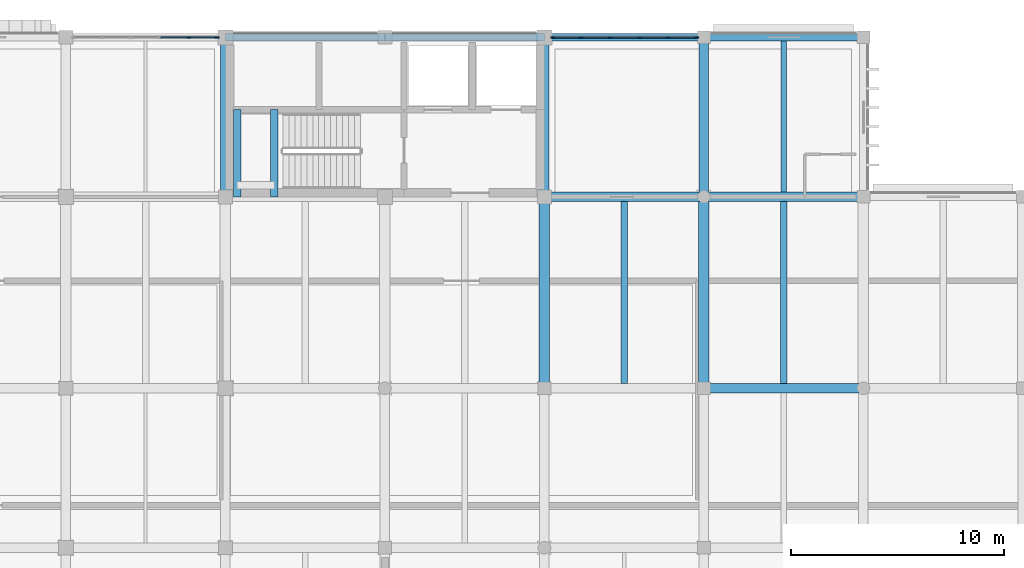
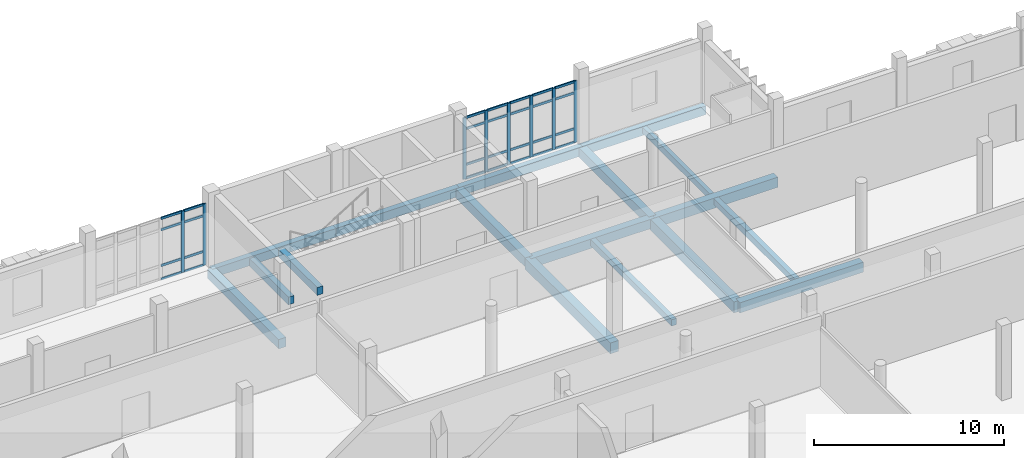
# One storey, part 62 of 131: 36 members, 17 beams, 2 elements without a shape of their own.
"""IFC4 building model written with IfcOpenShell, lengths in metres."""

from ifc_helpers import new_model, si_unit, direction, frame, origin, origin_2d, place, context, subcontext, project, spatial, rectangle, extrude, material, layer, layer_set, material_profile, profile_set, type_object, element, aggregate, save


model = new_model("IFC4")

# Units and contexts
model_context = context("Model", 3, precision=1e-05, world=origin(), true_north=direction((0.0, 1.0)))
body_context = subcontext(model_context, "Body", "Model", "MODEL_VIEW")
ifc_project = project(units=[si_unit("LENGTHUNIT", "METRE"), si_unit("AREAUNIT", "SQUARE_METRE"), si_unit("VOLUMEUNIT", "CUBIC_METRE"), si_unit("PLANEANGLEUNIT", "RADIAN"), si_unit("MASSUNIT", "GRAM", prefix="KILO")], contexts=[model_context])

# Site, building, storey
site_placement = place(None, origin())
site = spatial("IfcSite", under=ifc_project, at=site_placement, CompositionType="ELEMENT")
building_placement = place(site_placement, origin())
building = spatial("IfcBuilding", under=site, at=building_placement, Name="Dalvernix Boulevard General Hospital", CompositionType="ELEMENT")
storey_placement = place(building_placement, frame((0.0, 0.0, 9.300048828125)))
storey = spatial("IfcBuildingStorey", under=building, at=storey_placement, Name="L02", CompositionType="ELEMENT", Elevation=9.300048828125)

# Beams
ifc_material_1 = material(Name="Concrete C35/45", Category="concrete")
ifc_material_profile_1 = material_profile(ifc_material_1, rectangle(XDim=0.5, YDim=0.699951171875, at=origin_2d()), Name="RCB 500x700")
ifc_profile_set_1 = profile_set([ifc_material_profile_1], Name="Concrete C35/45")
beam_type_1 = type_object("IfcBeamType", Name="BM-B-01-I", PredefinedType="BEAM", material=ifc_profile_set_1)
for number, where, z_axis, x_axis, name in (
    (1, (112.5, 100.5, -0.670166015625), (0.0, 1.0, 0.0), (-1.0, 0.0, 0.0), "L02 N-S girder 16:P-Q"),
    (2, (120.0, 100.5, -0.670166015625), (0.0, 1.0, 0.0), (-1.0, 0.0, 0.0), "L02 N-S girder 17:P-Q"),
):
    element("IfcBeam", number, at=place(storey_placement, frame(where, z_axis=z_axis, x_axis=x_axis)), inside=storey, type_object=beam_type_1, Name=name, PredefinedType="BEAM", context=body_context, shape_type="SweptSolid", body=[
        extrude(rectangle(XDim=0.5, YDim=0.699951171875, at=origin_2d()), origin(), (0.0, 0.0, 1.0), 9.0),
    ])
ifc_material_profile_2 = material_profile(ifc_material_1, rectangle(XDim=0.449951171875, YDim=0.64990234375, at=origin_2d()), Name="RCB 450x650")
ifc_profile_set_2 = profile_set([ifc_material_profile_2], Name="Concrete C35/45")
beam_type_2 = type_object("IfcBeamType", Name="BM-B-03-I", PredefinedType="BEAM", material=ifc_profile_set_2)
for number, where, z_axis, x_axis, name in (
    (3, (120.0, 100.5, -0.64501953125), (1.0, 0.0, 0.0), (0.0, 1.0, 0.0), "L02 E-W girder P:17-18"),
    (4, (120.0, 109.5, -0.64501953125), (1.0, 0.0, 0.0), (0.0, 1.0, 0.0), "L02 E-W girder Q:17-18"),
):
    element("IfcBeam", number, at=place(storey_placement, frame(where, z_axis=z_axis, x_axis=x_axis)), inside=storey, type_object=beam_type_2, Name=name, PredefinedType="BEAM", context=body_context, shape_type="SweptSolid", body=[
        extrude(rectangle(XDim=0.449951171875, YDim=0.64990234375, at=origin_2d()), origin(), (0.0, 0.0, 1.0), 7.5),
    ])
ifc_material_profile_3 = material_profile(ifc_material_1, rectangle(XDim=0.449951171875, YDim=0.60009765625, at=origin_2d()), Name="RCB 450x600")
ifc_profile_set_3 = profile_set([ifc_material_profile_3], Name="Concrete C35/45")
beam_type_3 = type_object("IfcBeamType", Name="BM-B-04-I", PredefinedType="BEAM", material=ifc_profile_set_3)
for number, where, z_axis, x_axis, name in (
    (5, (112.5, 109.5, -0.6201171875), (1.0, 0.0, 0.0), (0.0, 1.0, 0.0), "L02 E-W girder Q:16-17"),
    (6, (97.5, 109.5, -0.6201171875), (0.0, 1.0, 0.0), (-1.0, 0.0, 0.0), "L02 N-S girder 14:Q-R"),
    (7, (112.5, 109.5, -0.6201171875), (0.0, 1.0, 0.0), (-1.0, 0.0, 0.0), "L02 N-S girder 16:Q-R"),
    (8, (120.0, 109.5, -0.6201171875), (0.0, 1.0, 0.0), (-1.0, 0.0, 0.0), "L02 N-S girder 17:Q-R"),
):
    element("IfcBeam", number, at=place(storey_placement, frame(where, z_axis=z_axis, x_axis=x_axis)), inside=storey, type_object=beam_type_3, Name=name, PredefinedType="BEAM", context=body_context, shape_type="SweptSolid", body=[
        extrude(rectangle(XDim=0.449951171875, YDim=0.60009765625, at=origin_2d()), origin(), (0.0, 0.0, 1.0), 7.5),
    ])
ifc_material_profile_4 = material_profile(ifc_material_1, rectangle(XDim=0.35009765625, YDim=0.5, at=origin_2d()), Name="RCB 350x500")
ifc_profile_set_4 = profile_set([ifc_material_profile_4], Name="Concrete C35/45")
beam_type_4 = type_object("IfcBeamType", Name="BM-B-08", PredefinedType="BEAM", material=ifc_profile_set_4)
for number, where, z_axis, x_axis, name in (
    (9, (98.050048828125, 109.5, 1.949951171875), (0.0, 1.0, 0.0), (-1.0, 0.0, 0.0), "L02 C4 stair half-landing beam 1"),
    (10, (99.800048828125, 109.5, 1.949951171875), (0.0, 1.0, 0.0), (-1.0, 0.0, 0.0), "L02 C4 stair half-landing beam 2"),
):
    element("IfcBeam", number, at=place(storey_placement, frame(where, z_axis=z_axis, x_axis=x_axis)), inside=storey, type_object=beam_type_4, Name=name, PredefinedType="BEAM", context=body_context, shape_type="SweptSolid", body=[
        extrude(rectangle(XDim=0.35009765625, YDim=0.5, at=origin_2d()), origin(), (0.0, 0.0, 1.0), 4.10009765625),
    ])
ifc_material_profile_5 = material_profile(ifc_material_1, rectangle(XDim=0.300048828125, YDim=0.39990234375, at=origin_2d()), Name="RCB 300x400")
ifc_profile_set_5 = profile_set([ifc_material_profile_5], Name="Concrete C35/45")
beam_type_5 = type_object("IfcBeamType", Name="BM-JB-01", PredefinedType="JOIST", material=ifc_profile_set_5)
for number, where, z_axis, x_axis, name in (
    (11, (116.25, 100.72509765625, -0.52001953125), (0.0, 1.0, 0.0), (-1.0, 0.0, 0.0), "L02 secondary floor beam 16-P"),
    (12, (123.75, 100.72509765625, -0.52001953125), (0.0, 1.0, 0.0), (-1.0, 0.0, 0.0), "L02 secondary floor beam 17-P"),
):
    element("IfcBeam", number, at=place(storey_placement, frame(where, z_axis=z_axis, x_axis=x_axis)), inside=storey, type_object=beam_type_5, Name=name, PredefinedType="JOIST", context=body_context, shape_type="SweptSolid", body=[
        extrude(rectangle(XDim=0.300048828125, YDim=0.39990234375, at=origin_2d()), origin(), (0.0, 0.0, 1.0), 8.5498046875),
    ])
ifc_material_profile_6 = material_profile(ifc_material_1, rectangle(XDim=0.25, YDim=0.39990234375, at=origin_2d()), Name="RCB 250x400")
ifc_profile_set_6 = profile_set([ifc_material_profile_6], Name="Concrete C35/45")
beam_type_6 = type_object("IfcBeamType", Name="BM-JB-02", PredefinedType="JOIST", material=ifc_profile_set_6)
beam_placement = place(storey_placement, frame((123.75, 109.72509765625, -0.52001953125), z_axis=(0.0, 1.0, 0.0), x_axis=(-1.0, 0.0, 0.0)))
element("IfcBeam", 13, at=beam_placement, inside=storey, type_object=beam_type_6, Name="L02 secondary floor beam 17-Q", PredefinedType="JOIST", context=body_context, shape_type="SweptSolid", body=[
    extrude(rectangle(XDim=0.25, YDim=0.39990234375, at=origin_2d()), origin(), (0.0, 0.0, 1.0), 7.099853515625),
])
ifc_material_profile_7 = material_profile(ifc_material_1, rectangle(XDim=0.35009765625, YDim=0.550048828125, at=origin_2d()), Name="RCB 350x550")
ifc_profile_set_7 = profile_set([ifc_material_profile_7], Name="Concrete C35/45")
beam_type_7 = type_object("IfcBeamType", Name="BM-SB-01-E", PredefinedType="SPANDREL", material=ifc_profile_set_7)
for number, where, z_axis, x_axis, name in (
    (14, (97.5, 117.0, -0.594970703125), (1.0, 0.0, 0.0), (0.0, 1.0, 0.0), "L02 E-W girder R:14-15"),
    (15, (105.0, 117.0, -0.594970703125), (1.0, 0.0, 0.0), (0.0, 1.0, 0.0), "L02 E-W girder R:15-16"),
    (16, (112.5, 117.0, -0.594970703125), (1.0, 0.0, 0.0), (0.0, 1.0, 0.0), "L02 E-W girder R:16-17"),
    (17, (120.0, 117.0, -0.594970703125), (1.0, 0.0, 0.0), (0.0, 1.0, 0.0), "L02 E-W girder R:17-18"),
):
    element("IfcBeam", number, at=place(storey_placement, frame(where, z_axis=z_axis, x_axis=x_axis)), inside=storey, type_object=beam_type_7, Name=name, PredefinedType="SPANDREL", context=body_context, shape_type="SweptSolid", body=[
        extrude(rectangle(XDim=0.35009765625, YDim=0.550048828125, at=origin_2d()), origin(), (0.0, 0.0, 1.0), 7.5),
    ])

# Curtain wall, members
ifc_material_2 = material(Name="Thermally broken aluminium and solar-control glass curtain wall", Category="aluminium")
ifc_layer = layer(ifc_material_2, 0.199951171875)
ifc_layer_set = layer_set([ifc_layer], Name="Thermally broken aluminium and solar-control glass curtain wall (CW-CW-C-68x40)")
curtain_wall_type = type_object("IfcCurtainWallType", Name="CW-CW-C-68x40", PredefinedType="USERDEFINED", material=ifc_layer_set)
curtain_wall_1_placement = place(storey_placement, origin())
curtain_wall_1 = element("IfcCurtainWall", 18, at=curtain_wall_1_placement, inside=storey, type_object=curtain_wall_type, Name="L02 curtain wall CW-C-68x40 12-15", ObjectType="GLAZED FACADE", PredefinedType="USERDEFINED")
ifc_material_3 = material(Name="Aluminium EN AW-6060", Category="aluminium")
ifc_material_profile_8 = material_profile(ifc_material_3, rectangle(XDim=0.070068359375, YDim=0.199951171875, at=origin_2d()), Name="ALU MULL 70x200")
ifc_profile_set_8 = profile_set([ifc_material_profile_8], Name="Aluminium EN AW-6060")
member_type_1 = type_object("IfcMemberType", Name="MEM-CW-M3", PredefinedType="MULLION", material=ifc_profile_set_8)
member_1_placement = place(storey_placement, frame((95.779052734375, 117.0, 0.0), z_axis=(0.0, 0.0, 1.0), x_axis=(0.0, 1.0, 0.0)))
member_1 = element("IfcMember", 19, at=member_1_placement, type_object=member_type_1, Name="CW-C-68x40 mullion 5", PredefinedType="MULLION", context=body_context, shape_type="SweptSolid", body=[
    extrude(rectangle(XDim=0.070068359375, YDim=0.199951171875, at=origin_2d()), origin(), (0.0, 0.0, 1.0), 3.949951171875),
])
member_2_placement = place(storey_placement, frame((97.10498046875, 117.0, 0.0), z_axis=(0.0, 0.0, 1.0), x_axis=(0.0, 1.0, 0.0)))
member_2 = element("IfcMember", 20, at=member_2_placement, type_object=member_type_1, Name="CW-C-68x40 mullion 6", PredefinedType="MULLION", context=body_context, shape_type="SweptSolid", body=[
    extrude(rectangle(XDim=0.070068359375, YDim=0.199951171875, at=origin_2d()), origin(), (0.0, 0.0, 1.0), 3.949951171875),
])

curtain_wall_2_placement = place(storey_placement, origin())
curtain_wall_2 = element("IfcCurtainWall", 21, at=curtain_wall_2_placement, inside=storey, type_object=curtain_wall_type, Name="L02 curtain wall CW-C-68x40 15-15", ObjectType="GLAZED FACADE", PredefinedType="USERDEFINED")
member_3_placement = place(storey_placement, frame((112.89501953125, 117.0, 0.0), z_axis=(0.0, 0.0, 1.0), x_axis=(0.0, 1.0, 0.0)))
member_3 = element("IfcMember", 22, at=member_3_placement, type_object=member_type_1, Name="CW-C-68x40 mullion 1", PredefinedType="MULLION", context=body_context, shape_type="SweptSolid", body=[
    extrude(rectangle(XDim=0.070068359375, YDim=0.199951171875, at=origin_2d()), origin(), (0.0, 0.0, 1.0), 3.949951171875),
])
member_4_placement = place(storey_placement, frame((114.22607421875, 117.0, 0.0), z_axis=(0.0, 0.0, 1.0), x_axis=(0.0, 1.0, 0.0)))
member_4 = element("IfcMember", 23, at=member_4_placement, type_object=member_type_1, Name="CW-C-68x40 mullion 2", PredefinedType="MULLION", context=body_context, shape_type="SweptSolid", body=[
    extrude(rectangle(XDim=0.070068359375, YDim=0.199951171875, at=origin_2d()), origin(), (0.0, 0.0, 1.0), 3.949951171875),
])
member_5_placement = place(storey_placement, frame((115.592041015625, 117.0, 0.0), z_axis=(0.0, 0.0, 1.0), x_axis=(0.0, 1.0, 0.0)))
member_5 = element("IfcMember", 24, at=member_5_placement, type_object=member_type_1, Name="CW-C-68x40 mullion 3", PredefinedType="MULLION", context=body_context, shape_type="SweptSolid", body=[
    extrude(rectangle(XDim=0.070068359375, YDim=0.199951171875, at=origin_2d()), origin(), (0.0, 0.0, 1.0), 3.949951171875),
])
member_6_placement = place(storey_placement, frame((116.9580078125, 117.0, 0.0), z_axis=(0.0, 0.0, 1.0), x_axis=(0.0, 1.0, 0.0)))
member_6 = element("IfcMember", 25, at=member_6_placement, type_object=member_type_1, Name="CW-C-68x40 mullion 4", PredefinedType="MULLION", context=body_context, shape_type="SweptSolid", body=[
    extrude(rectangle(XDim=0.070068359375, YDim=0.199951171875, at=origin_2d()), origin(), (0.0, 0.0, 1.0), 3.949951171875),
])
member_7_placement = place(storey_placement, frame((118.323974609375, 117.0, 0.0), z_axis=(0.0, 0.0, 1.0), x_axis=(0.0, 1.0, 0.0)))
member_7 = element("IfcMember", 26, at=member_7_placement, type_object=member_type_1, Name="CW-C-68x40 mullion 5", PredefinedType="MULLION", context=body_context, shape_type="SweptSolid", body=[
    extrude(rectangle(XDim=0.070068359375, YDim=0.199951171875, at=origin_2d()), origin(), (0.0, 0.0, 1.0), 3.949951171875),
])
member_8_placement = place(storey_placement, frame((119.655029296875, 117.0, 0.0), z_axis=(0.0, 0.0, 1.0), x_axis=(0.0, 1.0, 0.0)))
member_8 = element("IfcMember", 27, at=member_8_placement, type_object=member_type_1, Name="CW-C-68x40 mullion 6", PredefinedType="MULLION", context=body_context, shape_type="SweptSolid", body=[
    extrude(rectangle(XDim=0.070068359375, YDim=0.199951171875, at=origin_2d()), origin(), (0.0, 0.0, 1.0), 3.949951171875),
])

# Member
ifc_material_profile_9 = material_profile(ifc_material_3, rectangle(XDim=0.070068359375, YDim=0.14990234375, at=origin_2d()), Name="ALU TRAN 70x150")
ifc_profile_set_9 = profile_set([ifc_material_profile_9], Name="Aluminium EN AW-6060")
member_type_2 = type_object("IfcMemberType", Name="MEM-CW-T3", PredefinedType="USERDEFINED", material=ifc_profile_set_9)
member_9_placement = place(storey_placement, frame((94.452880859375, 117.0, 0.034912109375), z_axis=(1.0, 0.0, 0.0), x_axis=(0.0, 1.0, 0.0)))
member_9 = element("IfcMember", 28, at=member_9_placement, type_object=member_type_2, Name="CW-C-68x40 transom 4.1", ObjectType="TRANSOM", PredefinedType="USERDEFINED", context=body_context, shape_type="SweptSolid", body=[
    extrude(rectangle(XDim=0.070068359375, YDim=0.14990234375, at=origin_2d()), origin(), (0.0, 0.0, 1.0), 1.291015625),
])

member_10_placement = place(storey_placement, frame((94.452880859375, 117.0, 0.89990234375), z_axis=(1.0, 0.0, 0.0), x_axis=(0.0, 1.0, 0.0)))
member_10 = element("IfcMember", 29, at=member_10_placement, type_object=member_type_2, Name="CW-C-68x40 transom 4.2", ObjectType="TRANSOM", PredefinedType="USERDEFINED", context=body_context, shape_type="SweptSolid", body=[
    extrude(rectangle(XDim=0.070068359375, YDim=0.14990234375, at=origin_2d()), origin(), (0.0, 0.0, 1.0), 1.291015625),
])

member_11_placement = place(storey_placement, frame((94.452880859375, 117.0, 3.199951171875), z_axis=(1.0, 0.0, 0.0), x_axis=(0.0, 1.0, 0.0)))
member_11 = element("IfcMember", 30, at=member_11_placement, type_object=member_type_2, Name="CW-C-68x40 transom 4.3", ObjectType="TRANSOM", PredefinedType="USERDEFINED", context=body_context, shape_type="SweptSolid", body=[
    extrude(rectangle(XDim=0.070068359375, YDim=0.14990234375, at=origin_2d()), origin(), (0.0, 0.0, 1.0), 1.291015625),
])

member_12_placement = place(storey_placement, frame((94.452880859375, 117.0, 3.9150390625), z_axis=(1.0, 0.0, 0.0), x_axis=(0.0, 1.0, 0.0)))
member_12 = element("IfcMember", 31, at=member_12_placement, type_object=member_type_2, Name="CW-C-68x40 transom 4.4", ObjectType="TRANSOM", PredefinedType="USERDEFINED", context=body_context, shape_type="SweptSolid", body=[
    extrude(rectangle(XDim=0.070068359375, YDim=0.14990234375, at=origin_2d()), origin(), (0.0, 0.0, 1.0), 1.291015625),
])

member_13_placement = place(storey_placement, frame((95.81396484375, 117.0, 0.034912109375), z_axis=(1.0, 0.0, 0.0), x_axis=(0.0, 1.0, 0.0)))
member_13 = element("IfcMember", 32, at=member_13_placement, type_object=member_type_2, Name="CW-C-68x40 transom 5.1", ObjectType="TRANSOM", PredefinedType="USERDEFINED", context=body_context, shape_type="SweptSolid", body=[
    extrude(rectangle(XDim=0.070068359375, YDim=0.14990234375, at=origin_2d()), origin(), (0.0, 0.0, 1.0), 1.256103515625),
])

member_14_placement = place(storey_placement, frame((95.81396484375, 117.0, 0.89990234375), z_axis=(1.0, 0.0, 0.0), x_axis=(0.0, 1.0, 0.0)))
member_14 = element("IfcMember", 33, at=member_14_placement, type_object=member_type_2, Name="CW-C-68x40 transom 5.2", ObjectType="TRANSOM", PredefinedType="USERDEFINED", context=body_context, shape_type="SweptSolid", body=[
    extrude(rectangle(XDim=0.070068359375, YDim=0.14990234375, at=origin_2d()), origin(), (0.0, 0.0, 1.0), 1.256103515625),
])

member_15_placement = place(storey_placement, frame((95.81396484375, 117.0, 3.199951171875), z_axis=(1.0, 0.0, 0.0), x_axis=(0.0, 1.0, 0.0)))
member_15 = element("IfcMember", 34, at=member_15_placement, type_object=member_type_2, Name="CW-C-68x40 transom 5.3", ObjectType="TRANSOM", PredefinedType="USERDEFINED", context=body_context, shape_type="SweptSolid", body=[
    extrude(rectangle(XDim=0.070068359375, YDim=0.14990234375, at=origin_2d()), origin(), (0.0, 0.0, 1.0), 1.256103515625),
])

member_16_placement = place(storey_placement, frame((95.81396484375, 117.0, 3.9150390625), z_axis=(1.0, 0.0, 0.0), x_axis=(0.0, 1.0, 0.0)))
member_16 = element("IfcMember", 35, at=member_16_placement, type_object=member_type_2, Name="CW-C-68x40 transom 5.4", ObjectType="TRANSOM", PredefinedType="USERDEFINED", context=body_context, shape_type="SweptSolid", body=[
    extrude(rectangle(XDim=0.070068359375, YDim=0.14990234375, at=origin_2d()), origin(), (0.0, 0.0, 1.0), 1.256103515625),
])

aggregate(curtain_wall_1, [member_1, member_2, member_9, member_10, member_11, member_12, member_13, member_14, member_15, member_16])

member_17_placement = place(storey_placement, frame((112.929931640625, 117.0, 0.034912109375), z_axis=(1.0, 0.0, 0.0), x_axis=(0.0, 1.0, 0.0)))
member_17 = element("IfcMember", 36, at=member_17_placement, type_object=member_type_2, Name="CW-C-68x40 transom 1.1", ObjectType="TRANSOM", PredefinedType="USERDEFINED", context=body_context, shape_type="SweptSolid", body=[
    extrude(rectangle(XDim=0.070068359375, YDim=0.14990234375, at=origin_2d()), origin(), (0.0, 0.0, 1.0), 1.260986328125),
])

member_18_placement = place(storey_placement, frame((112.929931640625, 117.0, 0.89990234375), z_axis=(1.0, 0.0, 0.0), x_axis=(0.0, 1.0, 0.0)))
member_18 = element("IfcMember", 37, at=member_18_placement, type_object=member_type_2, Name="CW-C-68x40 transom 1.2", ObjectType="TRANSOM", PredefinedType="USERDEFINED", context=body_context, shape_type="SweptSolid", body=[
    extrude(rectangle(XDim=0.070068359375, YDim=0.14990234375, at=origin_2d()), origin(), (0.0, 0.0, 1.0), 1.260986328125),
])

member_19_placement = place(storey_placement, frame((112.929931640625, 117.0, 3.199951171875), z_axis=(1.0, 0.0, 0.0), x_axis=(0.0, 1.0, 0.0)))
member_19 = element("IfcMember", 38, at=member_19_placement, type_object=member_type_2, Name="CW-C-68x40 transom 1.3", ObjectType="TRANSOM", PredefinedType="USERDEFINED", context=body_context, shape_type="SweptSolid", body=[
    extrude(rectangle(XDim=0.070068359375, YDim=0.14990234375, at=origin_2d()), origin(), (0.0, 0.0, 1.0), 1.260986328125),
])

member_20_placement = place(storey_placement, frame((112.929931640625, 117.0, 3.9150390625), z_axis=(1.0, 0.0, 0.0), x_axis=(0.0, 1.0, 0.0)))
member_20 = element("IfcMember", 39, at=member_20_placement, type_object=member_type_2, Name="CW-C-68x40 transom 1.4", ObjectType="TRANSOM", PredefinedType="USERDEFINED", context=body_context, shape_type="SweptSolid", body=[
    extrude(rectangle(XDim=0.070068359375, YDim=0.14990234375, at=origin_2d()), origin(), (0.0, 0.0, 1.0), 1.260986328125),
])

member_21_placement = place(storey_placement, frame((114.260986328125, 117.0, 0.034912109375), z_axis=(1.0, 0.0, 0.0), x_axis=(0.0, 1.0, 0.0)))
member_21 = element("IfcMember", 40, at=member_21_placement, type_object=member_type_2, Name="CW-C-68x40 transom 2.1", ObjectType="TRANSOM", PredefinedType="USERDEFINED", context=body_context, shape_type="SweptSolid", body=[
    extrude(rectangle(XDim=0.070068359375, YDim=0.14990234375, at=origin_2d()), origin(), (0.0, 0.0, 1.0), 1.2958984375),
])

member_22_placement = place(storey_placement, frame((114.260986328125, 117.0, 0.89990234375), z_axis=(1.0, 0.0, 0.0), x_axis=(0.0, 1.0, 0.0)))
member_22 = element("IfcMember", 41, at=member_22_placement, type_object=member_type_2, Name="CW-C-68x40 transom 2.2", ObjectType="TRANSOM", PredefinedType="USERDEFINED", context=body_context, shape_type="SweptSolid", body=[
    extrude(rectangle(XDim=0.070068359375, YDim=0.14990234375, at=origin_2d()), origin(), (0.0, 0.0, 1.0), 1.2958984375),
])

member_23_placement = place(storey_placement, frame((114.260986328125, 117.0, 3.199951171875), z_axis=(1.0, 0.0, 0.0), x_axis=(0.0, 1.0, 0.0)))
member_23 = element("IfcMember", 42, at=member_23_placement, type_object=member_type_2, Name="CW-C-68x40 transom 2.3", ObjectType="TRANSOM", PredefinedType="USERDEFINED", context=body_context, shape_type="SweptSolid", body=[
    extrude(rectangle(XDim=0.070068359375, YDim=0.14990234375, at=origin_2d()), origin(), (0.0, 0.0, 1.0), 1.2958984375),
])

member_24_placement = place(storey_placement, frame((114.260986328125, 117.0, 3.9150390625), z_axis=(1.0, 0.0, 0.0), x_axis=(0.0, 1.0, 0.0)))
member_24 = element("IfcMember", 43, at=member_24_placement, type_object=member_type_2, Name="CW-C-68x40 transom 2.4", ObjectType="TRANSOM", PredefinedType="USERDEFINED", context=body_context, shape_type="SweptSolid", body=[
    extrude(rectangle(XDim=0.070068359375, YDim=0.14990234375, at=origin_2d()), origin(), (0.0, 0.0, 1.0), 1.2958984375),
])

member_25_placement = place(storey_placement, frame((115.626953125, 117.0, 0.034912109375), z_axis=(1.0, 0.0, 0.0), x_axis=(0.0, 1.0, 0.0)))
member_25 = element("IfcMember", 44, at=member_25_placement, type_object=member_type_2, Name="CW-C-68x40 transom 3.1", ObjectType="TRANSOM", PredefinedType="USERDEFINED", context=body_context, shape_type="SweptSolid", body=[
    extrude(rectangle(XDim=0.070068359375, YDim=0.14990234375, at=origin_2d()), origin(), (0.0, 0.0, 1.0), 1.296142578125),
])

member_26_placement = place(storey_placement, frame((115.626953125, 117.0, 0.89990234375), z_axis=(1.0, 0.0, 0.0), x_axis=(0.0, 1.0, 0.0)))
member_26 = element("IfcMember", 45, at=member_26_placement, type_object=member_type_2, Name="CW-C-68x40 transom 3.2", ObjectType="TRANSOM", PredefinedType="USERDEFINED", context=body_context, shape_type="SweptSolid", body=[
    extrude(rectangle(XDim=0.070068359375, YDim=0.14990234375, at=origin_2d()), origin(), (0.0, 0.0, 1.0), 1.296142578125),
])

member_27_placement = place(storey_placement, frame((115.626953125, 117.0, 3.199951171875), z_axis=(1.0, 0.0, 0.0), x_axis=(0.0, 1.0, 0.0)))
member_27 = element("IfcMember", 46, at=member_27_placement, type_object=member_type_2, Name="CW-C-68x40 transom 3.3", ObjectType="TRANSOM", PredefinedType="USERDEFINED", context=body_context, shape_type="SweptSolid", body=[
    extrude(rectangle(XDim=0.070068359375, YDim=0.14990234375, at=origin_2d()), origin(), (0.0, 0.0, 1.0), 1.296142578125),
])

member_28_placement = place(storey_placement, frame((115.626953125, 117.0, 3.9150390625), z_axis=(1.0, 0.0, 0.0), x_axis=(0.0, 1.0, 0.0)))
member_28 = element("IfcMember", 47, at=member_28_placement, type_object=member_type_2, Name="CW-C-68x40 transom 3.4", ObjectType="TRANSOM", PredefinedType="USERDEFINED", context=body_context, shape_type="SweptSolid", body=[
    extrude(rectangle(XDim=0.070068359375, YDim=0.14990234375, at=origin_2d()), origin(), (0.0, 0.0, 1.0), 1.296142578125),
])

member_29_placement = place(storey_placement, frame((116.992919921875, 117.0, 0.034912109375), z_axis=(1.0, 0.0, 0.0), x_axis=(0.0, 1.0, 0.0)))
member_29 = element("IfcMember", 48, at=member_29_placement, type_object=member_type_2, Name="CW-C-68x40 transom 4.1", ObjectType="TRANSOM", PredefinedType="USERDEFINED", context=body_context, shape_type="SweptSolid", body=[
    extrude(rectangle(XDim=0.070068359375, YDim=0.14990234375, at=origin_2d()), origin(), (0.0, 0.0, 1.0), 1.296142578125),
])

member_30_placement = place(storey_placement, frame((116.992919921875, 117.0, 0.89990234375), z_axis=(1.0, 0.0, 0.0), x_axis=(0.0, 1.0, 0.0)))
member_30 = element("IfcMember", 49, at=member_30_placement, type_object=member_type_2, Name="CW-C-68x40 transom 4.2", ObjectType="TRANSOM", PredefinedType="USERDEFINED", context=body_context, shape_type="SweptSolid", body=[
    extrude(rectangle(XDim=0.070068359375, YDim=0.14990234375, at=origin_2d()), origin(), (0.0, 0.0, 1.0), 1.296142578125),
])

member_31_placement = place(storey_placement, frame((116.992919921875, 117.0, 3.199951171875), z_axis=(1.0, 0.0, 0.0), x_axis=(0.0, 1.0, 0.0)))
member_31 = element("IfcMember", 50, at=member_31_placement, type_object=member_type_2, Name="CW-C-68x40 transom 4.3", ObjectType="TRANSOM", PredefinedType="USERDEFINED", context=body_context, shape_type="SweptSolid", body=[
    extrude(rectangle(XDim=0.070068359375, YDim=0.14990234375, at=origin_2d()), origin(), (0.0, 0.0, 1.0), 1.296142578125),
])

member_32_placement = place(storey_placement, frame((116.992919921875, 117.0, 3.9150390625), z_axis=(1.0, 0.0, 0.0), x_axis=(0.0, 1.0, 0.0)))
member_32 = element("IfcMember", 51, at=member_32_placement, type_object=member_type_2, Name="CW-C-68x40 transom 4.4", ObjectType="TRANSOM", PredefinedType="USERDEFINED", context=body_context, shape_type="SweptSolid", body=[
    extrude(rectangle(XDim=0.070068359375, YDim=0.14990234375, at=origin_2d()), origin(), (0.0, 0.0, 1.0), 1.296142578125),
])

member_33_placement = place(storey_placement, frame((118.35888671875, 117.0, 0.034912109375), z_axis=(1.0, 0.0, 0.0), x_axis=(0.0, 1.0, 0.0)))
member_33 = element("IfcMember", 52, at=member_33_placement, type_object=member_type_2, Name="CW-C-68x40 transom 5.1", ObjectType="TRANSOM", PredefinedType="USERDEFINED", context=body_context, shape_type="SweptSolid", body=[
    extrude(rectangle(XDim=0.070068359375, YDim=0.14990234375, at=origin_2d()), origin(), (0.0, 0.0, 1.0), 1.26123046875),
])

member_34_placement = place(storey_placement, frame((118.35888671875, 117.0, 0.89990234375), z_axis=(1.0, 0.0, 0.0), x_axis=(0.0, 1.0, 0.0)))
member_34 = element("IfcMember", 53, at=member_34_placement, type_object=member_type_2, Name="CW-C-68x40 transom 5.2", ObjectType="TRANSOM", PredefinedType="USERDEFINED", context=body_context, shape_type="SweptSolid", body=[
    extrude(rectangle(XDim=0.070068359375, YDim=0.14990234375, at=origin_2d()), origin(), (0.0, 0.0, 1.0), 1.26123046875),
])

member_35_placement = place(storey_placement, frame((118.35888671875, 117.0, 3.199951171875), z_axis=(1.0, 0.0, 0.0), x_axis=(0.0, 1.0, 0.0)))
member_35 = element("IfcMember", 54, at=member_35_placement, type_object=member_type_2, Name="CW-C-68x40 transom 5.3", ObjectType="TRANSOM", PredefinedType="USERDEFINED", context=body_context, shape_type="SweptSolid", body=[
    extrude(rectangle(XDim=0.070068359375, YDim=0.14990234375, at=origin_2d()), origin(), (0.0, 0.0, 1.0), 1.26123046875),
])

member_36_placement = place(storey_placement, frame((118.35888671875, 117.0, 3.9150390625), z_axis=(1.0, 0.0, 0.0), x_axis=(0.0, 1.0, 0.0)))
member_36 = element("IfcMember", 55, at=member_36_placement, type_object=member_type_2, Name="CW-C-68x40 transom 5.4", ObjectType="TRANSOM", PredefinedType="USERDEFINED", context=body_context, shape_type="SweptSolid", body=[
    extrude(rectangle(XDim=0.070068359375, YDim=0.14990234375, at=origin_2d()), origin(), (0.0, 0.0, 1.0), 1.26123046875),
])

aggregate(curtain_wall_2, [member_3, member_4, member_5, member_6, member_7, member_8, member_17, member_18, member_19, member_20, member_21, member_22, member_23, member_24, member_25, member_26, member_27, member_28, member_29, member_30, member_31, member_32, member_33, member_34, member_35, member_36])

save(model, "model.ifc")
